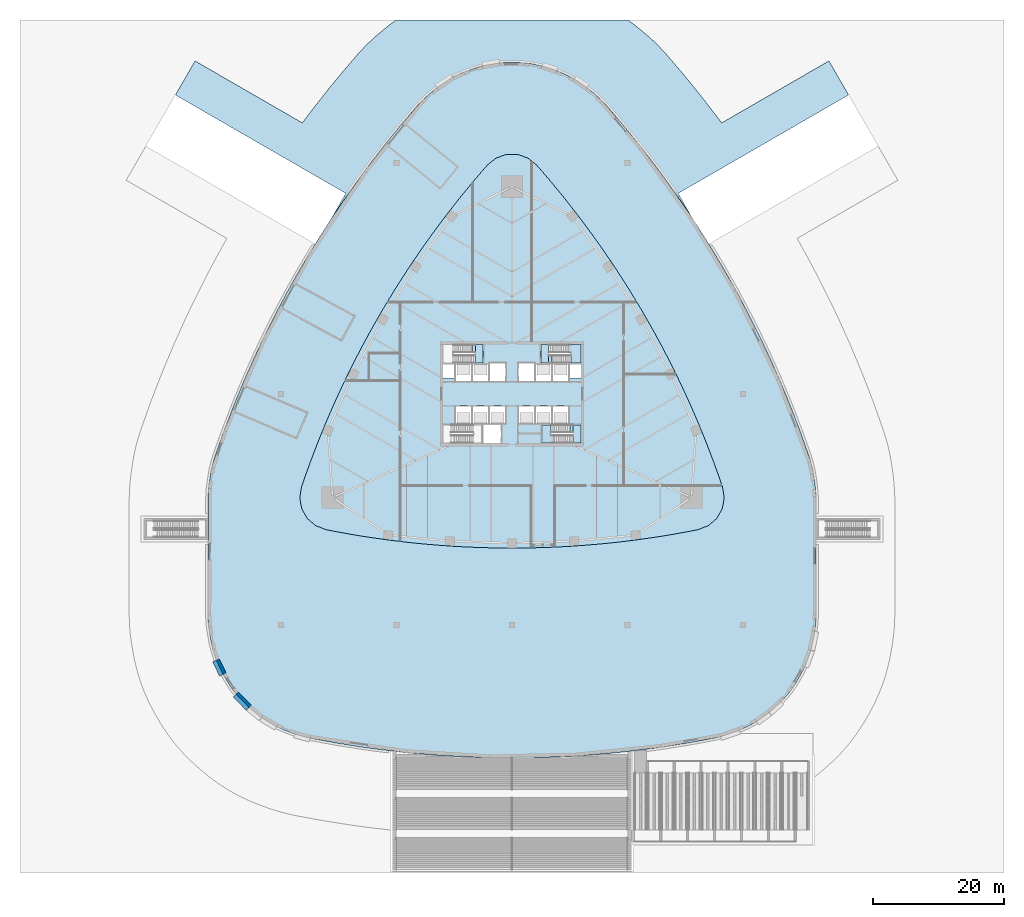
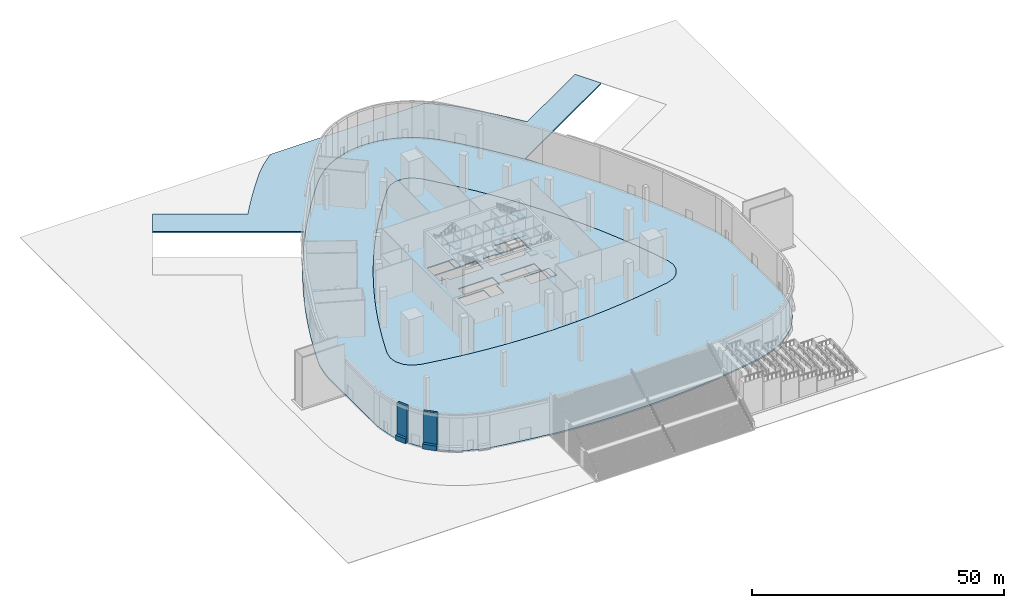
# One storey, part 3 of 29: 13 slabs, 4 walls, 3 elements without a shape of their own.
"""IFC4 building model written with IfcOpenShell, lengths in metres."""

from ifc_helpers import new_model, si_unit, direction, frame, frame_2d, origin, place, context, subcontext, project, spatial, polyline, rectangle, outline, extrude, material, layer, layer_set, type_object, element, aggregate, save


model = new_model("IFC4")

# Units and contexts
model_context = context("Model", 3, precision=1e-05, world=origin(), true_north=direction((0.0, 1.0)))
body_context = subcontext(model_context, "Body", "Model", "MODEL_VIEW")
ifc_project = project(units=[si_unit("LENGTHUNIT", "METRE"), si_unit("AREAUNIT", "SQUARE_METRE"), si_unit("VOLUMEUNIT", "CUBIC_METRE"), si_unit("PLANEANGLEUNIT", "RADIAN"), si_unit("MASSUNIT", "GRAM", prefix="KILO")], contexts=[model_context])

# Site, building, storey
site_placement = place(None, origin())
site = spatial("IfcSite", under=ifc_project, at=site_placement, CompositionType="ELEMENT")
building_placement = place(site_placement, origin())
building = spatial("IfcBuilding", under=site, at=building_placement, Name="Sierra Prisma Convention Tower", CompositionType="ELEMENT")
storey_placement = place(building_placement, origin())
storey = spatial("IfcBuildingStorey", under=building, at=storey_placement, Name="L00", CompositionType="ELEMENT", Elevation=0.0)

# Slabs
ifc_material_1 = material(Name="Concrete C35/45", Category="concrete")
ifc_layer_1 = layer(ifc_material_1, 0.25)
ifc_layer_set_1 = layer_set([ifc_layer_1], Name="Convention floor slab 250")
slab_type_1 = type_object("IfcSlabType", Name="Convention floor slab 250", PredefinedType="FLOOR", material=ifc_layer_set_1)
slab_1_placement = place(storey_placement, frame((0.0, 0.0, -0.25)))
element("IfcSlab", 1, at=slab_1_placement, inside=storey, type_object=slab_type_1, Name="Floor slab L00 tower", PredefinedType="FLOOR", context=body_context, shape_type="SweptSolid", body=[
    extrude(outline(polyline([(-28.3349609375, -20.696533203125), (-26.403564453125, -21.06884765625), (-24.467529296875, -21.414794921875), (-22.52685546875, -21.734375), (-20.581787109375, -22.027587890625), (-18.63330078125, -22.29443359375), (-16.68115234375, -22.53466796875), (-14.725830078125, -22.748291015625), (-12.767822265625, -22.93505859375), (-10.8076171875, -23.095458984375), (-8.845458984375, -23.229248046875), (-6.88134765625, -23.336181640625), (-4.916259765625, -23.41650390625), (-2.9501953125, -23.469970703125), (-0.9833984375, -23.49658203125), (0.9833984375, -23.49658203125), (2.9501953125, -23.469970703125), (4.916259765625, -23.41650390625), (6.88134765625, -23.336181640625), (8.845458984375, -23.229248046875), (10.8076171875, -23.095458984375), (12.767822265625, -22.93505859375), (14.725830078125, -22.748291015625), (16.68115234375, -22.53466796875), (18.63330078125, -22.29443359375), (20.581787109375, -22.027587890625), (22.52685546875, -21.734375), (24.467529296875, -21.414794921875), (26.403564453125, -21.06884765625), (28.3349609375, -20.696533203125), (29.913818359375, -20.089111328125), (31.199951171875, -18.989990234375), (32.045654296875, -17.52490234375), (32.354736328125, -15.861572265625), (32.091064453125, -14.1904296875), (31.447998046875, -12.331787109375), (30.779541015625, -10.48193359375), (30.0859375, -8.6416015625), (29.367431640625, -6.810546875), (28.6240234375, -4.98974609375), (27.85595703125, -3.178955078125), (27.0634765625, -1.37890625), (26.246337890625, 0.41015625), (25.405029296875, 2.18798828125), (24.539794921875, 3.954345703125), (23.650390625, 5.70849609375), (22.7373046875, 7.45068359375), (21.800537109375, 9.18017578125), (20.84033203125, 10.896728515625), (19.85693359375, 12.60009765625), (18.8505859375, 14.289794921875), (17.821044921875, 15.9658203125), (16.76904296875, 17.62744140625), (15.6943359375, 19.27490234375), (14.597412109375, 20.907470703125), (13.478515625, 22.52490234375), (12.337646484375, 24.126953125), (11.175048828125, 25.713623046875), (9.990966796875, 27.283935546875), (8.78564453125, 28.83837890625), (7.559326171875, 30.3759765625), (6.31201171875, 31.89697265625), (5.04443359375, 33.400634765625), (3.75634765625, 34.886962890625), (2.440673828125, 35.95068359375), (0.845947265625, 36.514892578125), (-0.845947265625, 36.514892578125), (-2.440673828125, 35.95068359375), (-3.75634765625, 34.886962890625), (-5.04443359375, 33.400634765625), (-6.31201171875, 31.89697265625), (-7.559326171875, 30.3759765625), (-8.78564453125, 28.83837890625), (-9.990966796875, 27.283935546875), (-11.175048828125, 25.713623046875), (-12.337646484375, 24.126953125), (-13.478515625, 22.52490234375), (-14.597412109375, 20.907470703125), (-15.6943359375, 19.27490234375), (-16.76904296875, 17.62744140625), (-17.821044921875, 15.9658203125), (-18.8505859375, 14.289794921875), (-19.85693359375, 12.60009765625), (-20.84033203125, 10.896728515625), (-21.800537109375, 9.18017578125), (-22.7373046875, 7.45068359375), (-23.650390625, 5.70849609375), (-24.539794921875, 3.954345703125), (-25.405029296875, 2.18798828125), (-26.246337890625, 0.41015625), (-27.0634765625, -1.37890625), (-27.85595703125, -3.178955078125), (-28.6240234375, -4.98974609375), (-29.367431640625, -6.810546875), (-30.0859375, -8.6416015625), (-30.779541015625, -10.48193359375), (-31.447998046875, -12.331787109375), (-32.091064453125, -14.1904296875), (-32.354736328125, -15.861572265625), (-32.045654296875, -17.52490234375), (-31.199951171875, -18.989990234375), (-29.913818359375, -20.089111328125), (-28.3349609375, -20.696533203125)]), holes=[polyline([(-4.60009765625, -7.5), (-10.5, -7.5), (-10.5, -4.699951171875), (-4.60009765625, -4.699951171875), (-4.60009765625, -7.5)]), polyline([(-8.699951171875, -4.60009765625), (-8.699951171875, -1.800048828125), (-6.10009765625, -1.800048828125), (-3.5, -1.800048828125), (-0.89990234375, -1.800048828125), (-0.89990234375, -4.60009765625), (-1.60009765625, -4.60009765625), (-1.60009765625, -7.5), (-4.5, -7.5), (-4.5, -4.60009765625), (-6.10009765625, -4.60009765625), (-8.699951171875, -4.60009765625)]), polyline([(-10.5, 4.60009765625), (-8.699951171875, 4.60009765625), (-6.10009765625, 4.60009765625), (-3.5, 4.60009765625), (-3.5, 4.800048828125), (-0.89990234375, 4.800048828125), (-0.89990234375, 1.800048828125), (-3.5, 1.800048828125), (-6.10009765625, 1.800048828125), (-8.699951171875, 1.800048828125), (-8.699951171875, 2.39990234375), (-10.5, 2.39990234375), (-10.5, 4.60009765625)]), polyline([(-4.39990234375, 4.699951171875), (-10.5, 4.699951171875), (-10.5, 7.5), (-4.39990234375, 7.5), (-4.39990234375, 4.699951171875)]), polyline([(10.5, -7.5), (4.60009765625, -7.5), (4.60009765625, -4.699951171875), (10.5, -4.699951171875), (10.5, -7.5)]), polyline([(6.10009765625, -1.800048828125), (8.699951171875, -1.800048828125), (8.699951171875, -4.60009765625), (6.10009765625, -4.60009765625), (3.5, -4.60009765625), (0.89990234375, -4.60009765625), (0.89990234375, -1.800048828125), (3.5, -1.800048828125), (6.10009765625, -1.800048828125)]), polyline([(10.5, 4.60009765625), (10.5, 2.39990234375), (8.699951171875, 2.39990234375), (8.699951171875, 1.800048828125), (6.10009765625, 1.800048828125), (3.5, 1.800048828125), (0.89990234375, 1.800048828125), (0.89990234375, 4.800048828125), (3.5, 4.800048828125), (3.5, 4.60009765625), (6.10009765625, 4.60009765625), (8.699951171875, 4.60009765625), (10.5, 4.60009765625)]), polyline([(4.39990234375, 4.699951171875), (4.39990234375, 7.5), (10.5, 7.5), (10.5, 4.699951171875), (4.39990234375, 4.699951171875)])]), origin(), (0.0, 0.0, 1.0), 0.25),
])
ifc_material_2 = material(Name="Concrete C35/45", Category="concrete")
ifc_layer_2 = layer(ifc_material_2, 0.35009765625)
ifc_layer_set_2 = layer_set([ifc_layer_2], Name="Flat plate slab 350")
slab_type_2 = type_object("IfcSlabType", Name="Flat plate slab 350", PredefinedType="FLOOR", material=ifc_layer_set_2)
slab_2_placement = place(storey_placement, frame((0.0, 0.0, -0.35009765625)))
element("IfcSlab", 2, at=slab_2_placement, inside=storey, type_object=slab_type_2, Name="Floor slab L00 plate", PredefinedType="FLOOR", context=body_context, shape_type="SweptSolid", body=[
    extrude(outline(polyline([(-0.949462890625, -55.49658203125), (3.1064453125, -55.468994140625), (5.262939453125, -55.412109375), (9.762939453125, -55.198974609375), (14.1328125, -54.868408203125), (18.167724609375, -54.455322265625), (20.376708984375, -54.185302734375), (22.702392578125, -53.8662109375), (26.708984375, -53.234375), (29.020263671875, -52.822021484375), (31.199951171875, -52.39208984375), (31.758056640625, -52.258544921875), (33.15185546875, -51.833251953125), (34.67578125, -51.25732421875), (35.86865234375, -50.73681640625), (37.2607421875, -49.982177734375), (38.199462890625, -49.348388671875), (39.225341796875, -48.547607421875), (40.50048828125, -47.436279296875), (41.031494140625, -46.927978515625), (42.09228515625, -45.75244140625), (42.765869140625, -44.841796875), (43.4658203125, -43.74462890625), (44.0283203125, -42.770263671875), (44.628662109375, -41.615478515625), (45.236572265625, -40.1533203125), (45.568115234375, -39.0703125), (45.8623046875, -37.802490234375), (46.15087890625, -36.1904296875), (46.31689453125, -34.686279296875), (46.3544921875, -33.632080078125), (46.346923828125, -15.666259765625), (46.206787109375, -13.87548828125), (45.954833984375, -12.228515625), (45.761962890625, -11.231201171875), (45.5478515625, -10.3740234375), (45.2490234375, -9.4033203125), (43.89208984375, -5.577392578125), (42.38720703125, -1.66455078125), (40.73095703125, 2.3193359375), (38.99560546875, 6.19482421875), (37.962158203125, 8.37841796875), (36.121826171875, 12.069091796875), (34.127197265625, 15.81787109375), (31.964111328125, 19.62939453125), (29.732666015625, 23.32177734375), (27.4013671875, 26.952392578125), (24.90185546875, 30.6181640625), (22.3740234375, 34.114501953125), (19.709716796875, 37.593994140625), (16.993896484375, 40.946533203125), (14.481201171875, 43.888427734375), (13.789794921875, 44.632568359375), (13.154296875, 45.24658203125), (12.38720703125, 45.912353515625), (11.4638671875, 46.658935546875), (10.41650390625, 47.431640625), (9.4609375, 48.03955078125), (8.048828125, 48.755859375), (6.84228515625, 49.243896484375), (5.781494140625, 49.618896484375), (4.53662109375, 49.998291015625), (2.988037109375, 50.3291015625), (1.86279296875, 50.457275390625), (0.5625, 50.514892578125), (-1.12890625, 50.498779296875), (-1.86279296875, 50.457275390625), (-2.988037109375, 50.3291015625), (-4.53662109375, 49.998291015625), (-5.242431640625, 49.792724609375), (-7.370849609375, 49.039794921875), (-8.048828125, 48.755859375), (-9.067138671875, 48.260009765625), (-10.41650390625, 47.431640625), (-11.4638671875, 46.658935546875), (-12.724609375, 45.626953125), (-13.789794921875, 44.632568359375), (-14.481201171875, 43.888427734375), (-16.993896484375, 40.946533203125), (-18.52587890625, 39.07861328125), (-21.07470703125, 35.83642578125), (-22.487548828125, 33.96142578125), (-24.90185546875, 30.6181640625), (-27.2958984375, 27.11083984375), (-28.615966796875, 25.087646484375), (-30.797607421875, 21.587890625), (-32.94775390625, 17.926025390625), (-34.127197265625, 15.81787109375), (-36.06591796875, 12.177978515625), (-37.962158203125, 8.37841796875), (-38.99560546875, 6.19482421875), (-40.73095703125, 2.3193359375), (-42.341796875, -1.551025390625), (-43.89208984375, -5.577392578125), (-45.2490234375, -9.4033203125), (-45.5478515625, -10.3740234375), (-45.761962890625, -11.231201171875), (-45.954833984375, -12.228515625), (-46.26611328125, -14.379638671875), (-46.3544921875, -16.05712890625), (-46.3544921875, -33.632080078125), (-46.31689453125, -34.686279296875), (-46.232666015625, -35.60009765625), (-45.8623046875, -37.802490234375), (-45.568115234375, -39.0703125), (-45.080322265625, -40.576904296875), (-44.628662109375, -41.615478515625), (-44.0283203125, -42.770263671875), (-43.1689453125, -44.22705078125), (-42.765869140625, -44.841796875), (-42.09228515625, -45.75244140625), (-41.031494140625, -46.927978515625), (-40.08056640625, -47.816650390625), (-39.225341796875, -48.547607421875), (-38.199462890625, -49.348388671875), (-36.873046875, -50.213134765625), (-35.86865234375, -50.73681640625), (-34.67578125, -51.25732421875), (-33.15185546875, -51.833251953125), (-31.758056640625, -52.258544921875), (-30.767822265625, -52.4853515625), (-26.776123046875, -53.222900390625), (-22.702392578125, -53.8662109375), (-20.30908203125, -54.19384765625), (-16.0908203125, -54.681396484375), (-11.9150390625, -55.051513671875), (-7.6767578125, -55.313720703125), (-3.364990234375, -55.4638671875), (-0.949462890625, -55.49658203125)]), holes=[polyline([(-26.403564453125, -21.06884765625), (-28.3349609375, -20.696533203125), (-29.913818359375, -20.089111328125), (-31.199951171875, -18.989990234375), (-32.045654296875, -17.52490234375), (-32.354736328125, -15.861572265625), (-32.091064453125, -14.1904296875), (-31.447998046875, -12.331787109375), (-30.779541015625, -10.48193359375), (-30.0859375, -8.6416015625), (-29.367431640625, -6.810546875), (-28.6240234375, -4.98974609375), (-27.85595703125, -3.178955078125), (-27.0634765625, -1.37890625), (-26.246337890625, 0.41015625), (-25.405029296875, 2.18798828125), (-24.539794921875, 3.954345703125), (-23.650390625, 5.70849609375), (-22.7373046875, 7.45068359375), (-21.800537109375, 9.18017578125), (-20.84033203125, 10.896728515625), (-19.85693359375, 12.60009765625), (-18.8505859375, 14.289794921875), (-17.821044921875, 15.9658203125), (-16.76904296875, 17.62744140625), (-15.6943359375, 19.27490234375), (-14.597412109375, 20.907470703125), (-13.478515625, 22.52490234375), (-12.337646484375, 24.126953125), (-11.175048828125, 25.713623046875), (-9.990966796875, 27.283935546875), (-8.78564453125, 28.83837890625), (-7.559326171875, 30.3759765625), (-6.31201171875, 31.89697265625), (-5.04443359375, 33.400634765625), (-3.75634765625, 34.886962890625), (-2.440673828125, 35.95068359375), (-0.845947265625, 36.514892578125), (0.845947265625, 36.514892578125), (2.440673828125, 35.95068359375), (3.75634765625, 34.886962890625), (5.04443359375, 33.400634765625), (6.31201171875, 31.89697265625), (7.559326171875, 30.3759765625), (8.78564453125, 28.83837890625), (9.990966796875, 27.283935546875), (11.175048828125, 25.713623046875), (12.337646484375, 24.126953125), (13.478515625, 22.52490234375), (14.597412109375, 20.907470703125), (15.6943359375, 19.27490234375), (16.76904296875, 17.62744140625), (17.821044921875, 15.9658203125), (18.8505859375, 14.289794921875), (19.85693359375, 12.60009765625), (20.84033203125, 10.896728515625), (21.800537109375, 9.18017578125), (22.7373046875, 7.45068359375), (23.650390625, 5.70849609375), (24.539794921875, 3.954345703125), (25.405029296875, 2.18798828125), (26.246337890625, 0.41015625), (27.0634765625, -1.37890625), (27.85595703125, -3.178955078125), (28.6240234375, -4.98974609375), (29.367431640625, -6.810546875), (30.0859375, -8.6416015625), (30.779541015625, -10.48193359375), (31.447998046875, -12.331787109375), (32.091064453125, -14.1904296875), (32.354736328125, -15.861572265625), (32.045654296875, -17.52490234375), (31.199951171875, -18.989990234375), (29.913818359375, -20.089111328125), (28.3349609375, -20.696533203125), (26.403564453125, -21.06884765625), (24.467529296875, -21.414794921875), (22.52685546875, -21.734375), (20.581787109375, -22.027587890625), (18.63330078125, -22.29443359375), (16.68115234375, -22.53466796875), (14.725830078125, -22.748291015625), (12.767822265625, -22.93505859375), (10.8076171875, -23.095458984375), (8.845458984375, -23.229248046875), (6.88134765625, -23.336181640625), (4.916259765625, -23.41650390625), (2.9501953125, -23.469970703125), (0.9833984375, -23.49658203125), (-0.9833984375, -23.49658203125), (-2.9501953125, -23.469970703125), (-4.916259765625, -23.41650390625), (-6.88134765625, -23.336181640625), (-8.845458984375, -23.229248046875), (-10.8076171875, -23.095458984375), (-12.767822265625, -22.93505859375), (-14.725830078125, -22.748291015625), (-16.68115234375, -22.53466796875), (-18.63330078125, -22.29443359375), (-20.581787109375, -22.027587890625), (-22.52685546875, -21.734375), (-24.467529296875, -21.414794921875), (-26.403564453125, -21.06884765625)])]), origin(), (0.0, 0.0, 1.0), 0.35009765625),
])
ifc_material_3 = material(Name="Concrete C25/30", Category="concrete")
ifc_layer_3 = layer(ifc_material_3, 0.300048828125)
ifc_layer_set_3 = layer_set([ifc_layer_3], Name="Ground paving slab 300")
slab_type_3 = type_object("IfcSlabType", Name="Ground paving slab 300", PredefinedType="FLOOR", material=ifc_layer_set_3)
slab_3_placement = place(storey_placement, frame((0.0, 0.0, -0.300048828125)))
element("IfcSlab", 3, at=slab_3_placement, inside=storey, type_object=slab_type_3, Name="Forecourt and street paving 2", PredefinedType="FLOOR", context=body_context, shape_type="SweptSolid", body=[
    extrude(outline(polyline([(-31.967041015625, 41.322021484375), (-48.31591796875, 50.760986328125), (-51.31591796875, 45.56494140625), (-25.3349609375, 30.56494140625), (-27.426025390625, 26.943115234375), (-27.410888671875, 26.93408203125), (-24.902099609375, 30.617919921875), (-22.487060546875, 33.9619140625), (-21.074951171875, 35.8369140625), (-18.52587890625, 39.0791015625), (-16.993896484375, 40.947021484375), (-14.48095703125, 43.887939453125), (-13.7900390625, 44.633056640625), (-12.72509765625, 45.626953125), (-11.464111328125, 46.658935546875), (-10.4169921875, 47.431884765625), (-9.06689453125, 48.260009765625), (-8.049072265625, 48.756103515625), (-7.37109375, 49.0400390625), (-5.241943359375, 49.79296875), (-4.537109375, 49.998046875), (-2.988037109375, 50.3291015625), (-1.863037109375, 50.45703125), (-1.12890625, 50.4990234375), (0.56298828125, 50.514892578125), (1.863037109375, 50.45703125), (2.988037109375, 50.3291015625), (4.537109375, 49.998046875), (5.781982421875, 49.618896484375), (6.842041015625, 49.243896484375), (8.049072265625, 48.756103515625), (9.4609375, 48.0400390625), (10.4169921875, 47.431884765625), (11.464111328125, 46.658935546875), (12.386962890625, 45.912109375), (13.154052734375, 45.2470703125), (13.7900390625, 44.633056640625), (14.48095703125, 43.887939453125), (16.993896484375, 40.947021484375), (19.7099609375, 37.593994140625), (22.3740234375, 34.114990234375), (24.902099609375, 30.617919921875), (27.39892578125, 26.955078125), (27.4130859375, 26.964111328125), (25.333984375, 30.56494140625), (51.31494140625, 45.56494140625), (48.31494140625, 50.760986328125), (31.967041015625, 41.322021484375), (29.033935546875, 45.14697265625), (26.118896484375, 48.739990234375), (23.60595703125, 51.681884765625), (23.27294921875, 52.055908203125), (22.5810546875, 52.800048828125), (22.12890625, 53.260986328125), (21.493896484375, 53.875), (21.01806640625, 54.31103515625), (20.25, 54.97705078125), (19.93310546875, 55.242919921875), (19.010009765625, 55.989990234375), (18.587890625, 56.31494140625), (17.659912109375, 57.0), (-17.659912109375, 57.0), (-18.587890625, 56.31494140625), (-19.06494140625, 55.945068359375), (-20.325927734375, 54.9130859375), (-20.9130859375, 54.39892578125), (-21.97802734375, 53.405029296875), (-22.5810546875, 52.800048828125), (-23.27294921875, 52.055908203125), (-23.60595703125, 51.681884765625), (-26.118896484375, 48.739990234375), (-27.804931640625, 46.68798828125), (-30.508056640625, 43.2529296875), (-31.967041015625, 41.322021484375)])), origin(), (0.0, 0.0, 1.0), 0.300048828125),
])

# Stair, slabs
ifc_material_4 = material(Name="Concrete C30/37", Category="concrete")
stair_type = type_object("IfcStairType", Name="Stair dog-leg 1200 RC", PredefinedType="HALF_TURN_STAIR", material=ifc_material_4)
stair_1_placement = place(storey_placement, origin())
stair_1 = element("IfcStair", 4, at=stair_1_placement, inside=storey, type_object=stair_type, Name="L00 S2", PredefinedType="HALF_TURN_STAIR")
ifc_material_5 = material(Name="Concrete C35/45", Category="concrete")
ifc_layer_4 = layer(ifc_material_5, 0.199951171875)
ifc_layer_set_4 = layer_set([ifc_layer_4], Name="Stair landing slab")
slab_type_4 = type_object("IfcSlabType", Name="Stair landing slab", PredefinedType="LANDING", material=ifc_layer_set_4)
slab_4_placement = place(storey_placement, frame((0.0, 0.0, 2.050048828125)))
slab_4 = element("IfcSlab", 5, at=slab_4_placement, type_object=slab_type_4, Name="S2 landing 1", PredefinedType="LANDING", context=body_context, shape_type="SweptSolid", body=[
    extrude(outline(polyline([(6.389892578125, -6.300048828125), (6.389892578125, -7.5), (4.60009765625, -7.5), (4.60009765625, -4.699951171875), (5.94189453125, -4.699951171875), (5.94189453125, -6.300048828125), (6.389892578125, -6.300048828125)])), origin(), (0.0, 0.0, 1.0), 0.199951171875),
])
slab_5_placement = place(storey_placement, frame((0.0, 0.0, 4.300048828125)))
slab_5 = element("IfcSlab", 6, at=slab_5_placement, type_object=slab_type_4, Name="S2 landing 2", PredefinedType="LANDING", context=body_context, shape_type="SweptSolid", body=[
    extrude(outline(polyline([(10.5, -4.699951171875), (10.5, -7.5), (9.298095703125, -7.5), (9.298095703125, -5.89990234375), (8.85009765625, -5.89990234375), (8.85009765625, -4.699951171875), (10.5, -4.699951171875)])), origin(), (0.0, 0.0, 1.0), 0.199951171875),
])
slab_6_placement = place(storey_placement, frame((0.0, 0.0, 6.550048828125)))
slab_6 = element("IfcSlab", 7, at=slab_6_placement, type_object=slab_type_4, Name="S2 landing 3", PredefinedType="LANDING", context=body_context, shape_type="SweptSolid", body=[
    extrude(outline(polyline([(6.389892578125, -6.300048828125), (6.389892578125, -7.5), (4.60009765625, -7.5), (4.60009765625, -4.699951171875), (5.94189453125, -4.699951171875), (5.94189453125, -6.300048828125), (6.389892578125, -6.300048828125)])), origin(), (0.0, 0.0, 1.0), 0.199951171875),
])
aggregate(stair_1, [slab_4, slab_5, slab_6])

# Slab
slab_7_placement = place(storey_placement, frame((0.0, 0.0, -0.199951171875)))
element("IfcSlab", 8, at=slab_7_placement, inside=storey, type_object=slab_type_4, Name="S2 floor landing L00", PredefinedType="LANDING", context=body_context, shape_type="SweptSolid", body=[
    extrude(outline(polyline([(10.5, -4.699951171875), (9.298095703125, -4.699951171875), (9.298095703125, -7.5), (10.5, -7.5), (10.5, -4.699951171875)])), origin(), (0.0, 0.0, 1.0), 0.199951171875),
])

# Stair, slab
stair_2_placement = place(storey_placement, origin())
stair_2 = element("IfcStair", 9, at=stair_2_placement, inside=storey, type_object=stair_type, Name="L00 S3", PredefinedType="HALF_TURN_STAIR")
slab_8_placement = place(storey_placement, frame((0.0, 0.0, 4.300048828125)))
slab_8 = element("IfcSlab", 10, at=slab_8_placement, type_object=slab_type_4, Name="S3 landing 2", PredefinedType="LANDING", context=body_context, shape_type="SweptSolid", body=[
    extrude(outline(polyline([(-4.39990234375, 7.5), (-4.39990234375, 4.699951171875), (-5.60205078125, 4.699951171875), (-5.60205078125, 6.300048828125), (-6.050048828125, 6.300048828125), (-6.050048828125, 7.5), (-4.39990234375, 7.5)])), origin(), (0.0, 0.0, 1.0), 0.199951171875),
])
aggregate(stair_2, [slab_8])

# Slab
slab_9_placement = place(storey_placement, frame((0.0, 0.0, -0.199951171875)))
element("IfcSlab", 11, at=slab_9_placement, inside=storey, type_object=slab_type_4, Name="S3 floor landing L00", PredefinedType="LANDING", context=body_context, shape_type="SweptSolid", body=[
    extrude(outline(polyline([(-4.39990234375, 7.5), (-5.60205078125, 7.5), (-5.60205078125, 4.699951171875), (-4.39990234375, 4.699951171875), (-4.39990234375, 7.5)])), origin(), (0.0, 0.0, 1.0), 0.199951171875),
])

# Stair, slabs
stair_3_placement = place(storey_placement, origin())
stair_3 = element("IfcStair", 12, at=stair_3_placement, inside=storey, type_object=stair_type, Name="L00 S4", PredefinedType="HALF_TURN_STAIR")
slab_10_placement = place(storey_placement, frame((0.0, 0.0, 2.050048828125)))
slab_10 = element("IfcSlab", 13, at=slab_10_placement, type_object=slab_type_4, Name="S4 landing 1", PredefinedType="LANDING", context=body_context, shape_type="SweptSolid", body=[
    extrude(outline(polyline([(10.5, 7.5), (10.5, 4.699951171875), (8.9580078125, 4.699951171875), (8.9580078125, 6.300048828125), (8.510009765625, 6.300048828125), (8.510009765625, 7.5), (10.5, 7.5)])), origin(), (0.0, 0.0, 1.0), 0.199951171875),
])
slab_11_placement = place(storey_placement, frame((0.0, 0.0, 4.300048828125)))
slab_11 = element("IfcSlab", 14, at=slab_11_placement, type_object=slab_type_4, Name="S4 landing 2", PredefinedType="LANDING", context=body_context, shape_type="SweptSolid", body=[
    extrude(outline(polyline([(4.39990234375, 4.699951171875), (4.39990234375, 7.5), (5.60205078125, 7.5), (5.60205078125, 5.89990234375), (6.050048828125, 5.89990234375), (6.050048828125, 4.699951171875), (4.39990234375, 4.699951171875)])), origin(), (0.0, 0.0, 1.0), 0.199951171875),
])
slab_12_placement = place(storey_placement, frame((0.0, 0.0, 6.550048828125)))
slab_12 = element("IfcSlab", 15, at=slab_12_placement, type_object=slab_type_4, Name="S4 landing 3", PredefinedType="LANDING", context=body_context, shape_type="SweptSolid", body=[
    extrude(outline(polyline([(10.5, 7.5), (10.5, 4.699951171875), (8.9580078125, 4.699951171875), (8.9580078125, 6.300048828125), (8.510009765625, 6.300048828125), (8.510009765625, 7.5), (10.5, 7.5)])), origin(), (0.0, 0.0, 1.0), 0.199951171875),
])
aggregate(stair_3, [slab_10, slab_11, slab_12])

# Slab
slab_13_placement = place(storey_placement, frame((0.0, 0.0, -0.199951171875)))
element("IfcSlab", 16, at=slab_13_placement, inside=storey, type_object=slab_type_4, Name="S4 floor landing L00", PredefinedType="LANDING", context=body_context, shape_type="SweptSolid", body=[
    extrude(outline(polyline([(4.39990234375, 4.699951171875), (5.60205078125, 4.699951171875), (5.60205078125, 7.5), (4.39990234375, 7.5), (4.39990234375, 4.699951171875)])), origin(), (0.0, 0.0, 1.0), 0.199951171875),
])

# Walls
ifc_material_6 = material(Name="Concrete C40/50, bush-hammered finish", Category="concrete")
ifc_layer_5 = layer(ifc_material_6, 0.60009765625)
ifc_layer_set_5 = layer_set([ifc_layer_5], Name="Plinth base course 600")
wall_type_1 = type_object("IfcWallType", Name="Plinth base course 600", PredefinedType="STANDARD", material=ifc_layer_set_5)
wall_1_placement = place(storey_placement, frame((-45.34228515625, -40.72607421875, 0.0), z_axis=(0.0, 0.0, 1.0), x_axis=(0.432525733495, -0.901621589063, 0.0)))
element("IfcWall", 17, at=wall_1_placement, inside=storey, type_object=wall_type_1, Name="Plinth base course 1", PredefinedType="STANDARD", context=body_context, shape_type="SweptSolid", body=[
    extrude(rectangle(XDim=2.396728515625, YDim=0.60009765625, at=frame_2d((1.1982421875, 0.0))), origin(), (0.0, 0.0, 1.0), 1.199951171875),
])
wall_2_placement = place(storey_placement, frame((-42.292236328125, -45.977783203125, 0.0), z_axis=(0.0, 0.0, 1.0), x_axis=(0.697990080848, -0.716107427023, 0.0)))
element("IfcWall", 18, at=wall_2_placement, inside=storey, type_object=wall_type_1, Name="Plinth base course 2", PredefinedType="STANDARD", context=body_context, shape_type="SweptSolid", body=[
    extrude(rectangle(XDim=2.84326171875, YDim=0.60009765625, at=frame_2d((1.421630859375, 0.0))), origin(), (0.0, 0.0, 1.0), 1.199951171875),
])
ifc_material_7 = material(Name="Concrete C40/50, rose plaster finish", Category="concrete")
ifc_layer_6 = layer(ifc_material_7, 0.5)
ifc_layer_set_6 = layer_set([ifc_layer_6], Name="Rose plastered wall 500")
wall_type_2 = type_object("IfcWallType", Name="Rose plastered wall 500", PredefinedType="STANDARD", material=ifc_layer_set_6)
wall_3_placement = place(storey_placement, frame((-43.809814453125, -42.64892578125, 0.0), z_axis=(0.0, 0.0, 1.0), x_axis=(-0.432482642962, 0.901642259179, 0.0)))
element("IfcWall", 19, at=wall_3_placement, inside=storey, type_object=wall_type_2, Name="Plinth wall 1", PredefinedType="STANDARD", context=body_context, shape_type="SweptSolid", body=[
    extrude(rectangle(XDim=2.396240234375, YDim=0.5, at=frame_2d((1.1982421875, 0.0))), origin(), (0.0, 0.0, 1.0), 8.75),
])
wall_4_placement = place(storey_placement, frame((-39.913818359375, -47.630126953125, 0.0), z_axis=(0.0, 0.0, 1.0), x_axis=(-0.697990080848, 0.716107427023, 0.0)))
element("IfcWall", 20, at=wall_4_placement, inside=storey, type_object=wall_type_2, Name="Plinth wall 3", PredefinedType="STANDARD", context=body_context, shape_type="SweptSolid", body=[
    extrude(rectangle(XDim=2.84326171875, YDim=0.5, at=frame_2d((1.421630859375, 0.0))), origin(), (0.0, 0.0, 1.0), 8.75),
])

save(model, "model.ifc")
